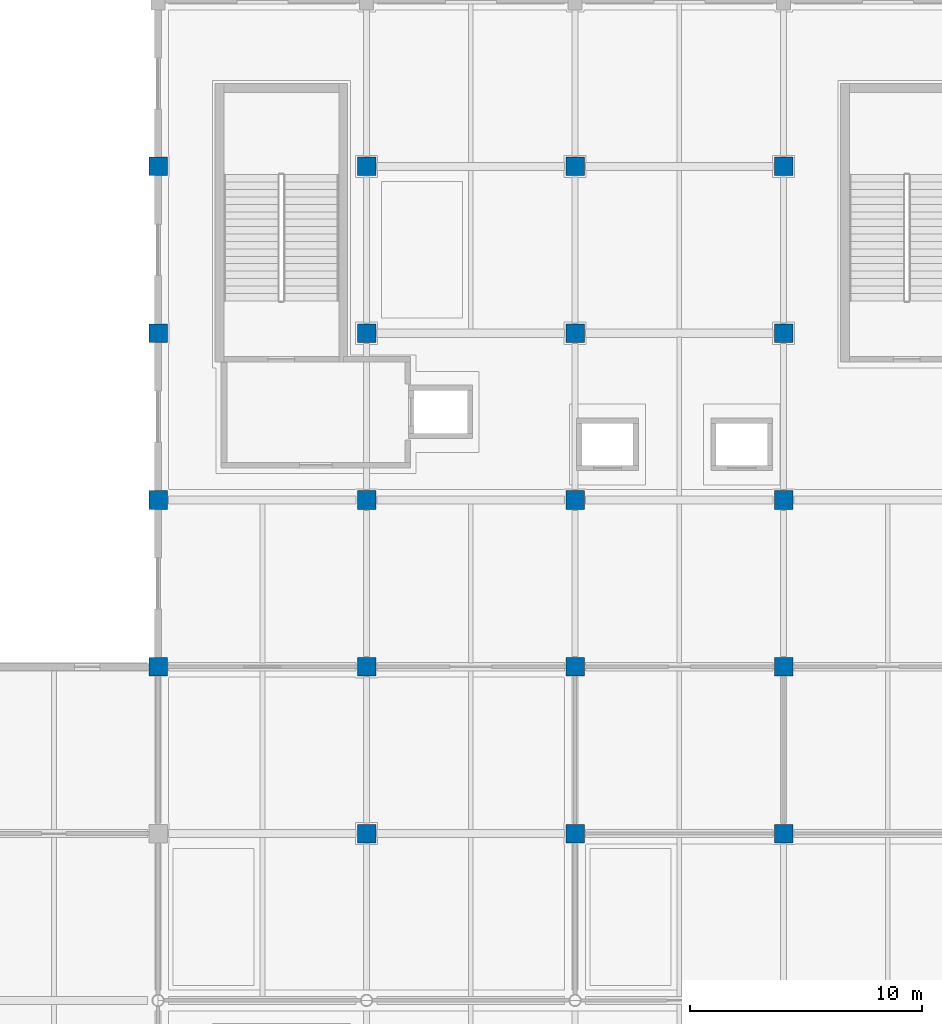
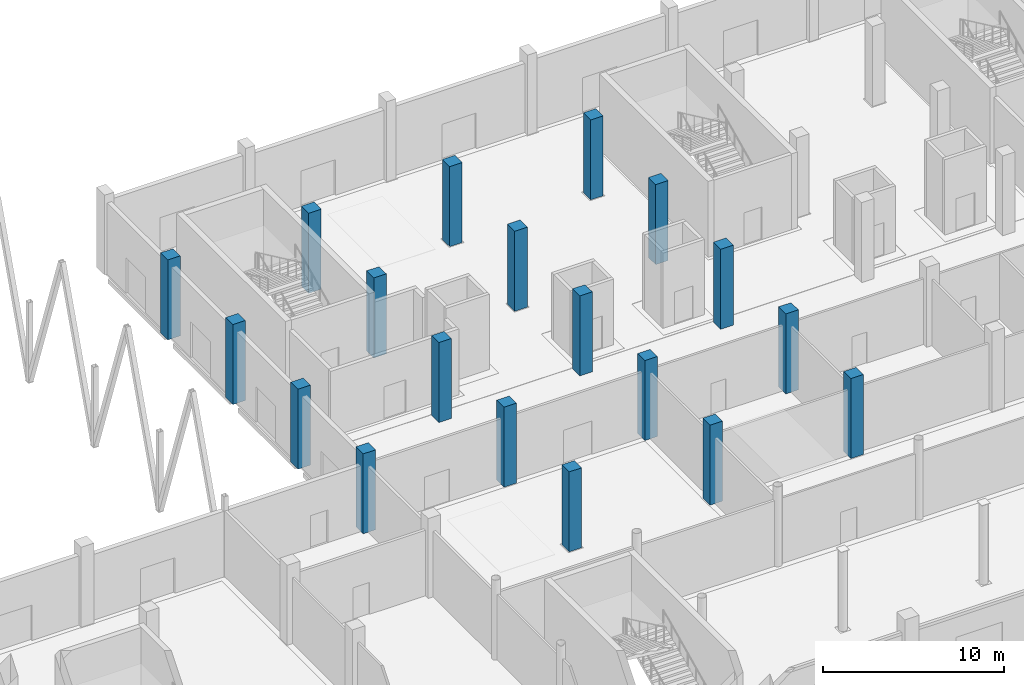
# One storey, part 12 of 137: 19 columns.
"""IFC4 building model written with IfcOpenShell, lengths in metres."""

from ifc_helpers import new_model, si_unit, direction, frame, origin, origin_2d, place, context, subcontext, project, spatial, rectangle, extrude, material, material_profile, profile_set, type_object, element, save


model = new_model("IFC4")

# Units and contexts
model_context = context("Model", 3, precision=1e-05, world=origin(), true_north=direction((0.0, 1.0)))
body_context = subcontext(model_context, "Body", "Model", "MODEL_VIEW")
ifc_project = project(units=[si_unit("LENGTHUNIT", "METRE"), si_unit("AREAUNIT", "SQUARE_METRE"), si_unit("VOLUMEUNIT", "CUBIC_METRE"), si_unit("PLANEANGLEUNIT", "RADIAN"), si_unit("MASSUNIT", "GRAM", prefix="KILO")], contexts=[model_context])

# Site, building, storey
site_placement = place(None, origin())
site = spatial("IfcSite", under=ifc_project, at=site_placement, CompositionType="ELEMENT")
building_placement = place(site_placement, origin())
building = spatial("IfcBuilding", under=site, at=building_placement, Name="Celestram Park Convention Centre", CompositionType="ELEMENT")
storey_placement = place(building_placement, origin())
storey = spatial("IfcBuildingStorey", under=building, at=storey_placement, Name="L00", CompositionType="ELEMENT", Elevation=0.0)

# Columns
ifc_material = material(Name="Concrete C40/50", Category="concrete")
ifc_material_profile = material_profile(ifc_material, rectangle(XDim=0.800048828125, YDim=0.800048828125, at=origin_2d()), Name="RC800X800")
ifc_profile_set = profile_set([ifc_material_profile], Name="Concrete C40/50")
column_type = type_object("IfcColumnType", Name="STR-COL-RC800", PredefinedType="COLUMN", material=ifc_profile_set)
for number, where, z_axis, x_axis, name in (
    (1, (36.0, 136.800048828125, 0.0), (0.0, 0.0, 1.0), (1.0, 0.0, 0.0), "Column CN-L00-048"),
    (2, (36.0, 144.0, 0.0), (0.0, 0.0, 1.0), (1.0, 0.0, 0.0), "Column CN-L00-049"),
    (3, (36.0, 151.199951171875, 0.0), (0.0, 0.0, 1.0), (1.0, 0.0, 0.0), "Column CN-L00-050"),
    (4, (36.0, 158.39990234375, 0.0), (0.0, 0.0, 1.0), (1.0, 0.0, 0.0), "Column CN-L00-051"),
    (5, (45.0, 129.60009765625, 0.0), (0.0, 0.0, 1.0), (1.0, 0.0, 0.0), "Column CN-L00-060"),
    (6, (45.0, 136.800048828125, 0.0), (0.0, 0.0, 1.0), (1.0, 0.0, 0.0), "Column CN-L00-061"),
    (7, (45.0, 144.0, 0.0), (0.0, 0.0, 1.0), (1.0, 0.0, 0.0), "Column CN-L00-062"),
    (8, (45.0, 151.199951171875, 0.0), (0.0, 0.0, 1.0), (1.0, 0.0, 0.0), "Column CN-L00-063"),
    (9, (45.0, 158.39990234375, 0.0), (0.0, 0.0, 1.0), (1.0, 0.0, 0.0), "Column CN-L00-064"),
    (10, (54.0, 129.60009765625, 0.0), (0.0, 0.0, 1.0), (1.0, 0.0, 0.0), "Column CN-L00-073"),
    (11, (54.0, 136.800048828125, 0.0), (0.0, 0.0, 1.0), (1.0, 0.0, 0.0), "Column CN-L00-074"),
    (12, (54.0, 144.0, 0.0), (0.0, 0.0, 1.0), (1.0, 0.0, 0.0), "Column CN-L00-075"),
    (13, (54.0, 151.199951171875, 0.0), (0.0, 0.0, 1.0), (1.0, 0.0, 0.0), "Column CN-L00-076"),
    (14, (54.0, 158.39990234375, 0.0), (0.0, 0.0, 1.0), (1.0, 0.0, 0.0), "Column CN-L00-077"),
    (15, (63.0, 129.60009765625, 0.0), (0.0, 0.0, 1.0), (1.0, 0.0, 0.0), "Column CN-L00-086"),
    (16, (63.0, 136.800048828125, 0.0), (0.0, 0.0, 1.0), (1.0, 0.0, 0.0), "Column CN-L00-087"),
    (17, (63.0, 144.0, 0.0), (0.0, 0.0, 1.0), (1.0, 0.0, 0.0), "Column CN-L00-088"),
    (18, (63.0, 151.199951171875, 0.0), (0.0, 0.0, 1.0), (1.0, 0.0, 0.0), "Column CN-L00-089"),
    (19, (63.0, 158.39990234375, 0.0), (0.0, 0.0, 1.0), (1.0, 0.0, 0.0), "Column CN-L00-090"),
):
    element("IfcColumn", number, at=place(storey_placement, frame(where, z_axis=z_axis, x_axis=x_axis)), inside=storey, type_object=column_type, Name=name, PredefinedType="COLUMN", context=body_context, shape_type="SweptSolid", body=[
        extrude(rectangle(XDim=0.800048828125, YDim=0.800048828125, at=origin_2d()), origin(), (0.0, 0.0, 1.0), 5.39990234375),
    ])

save(model, "model.ifc")
